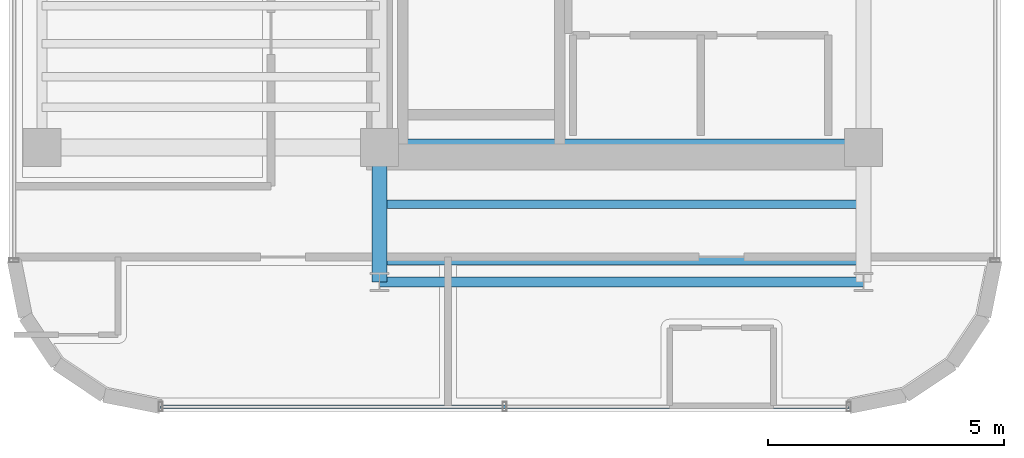
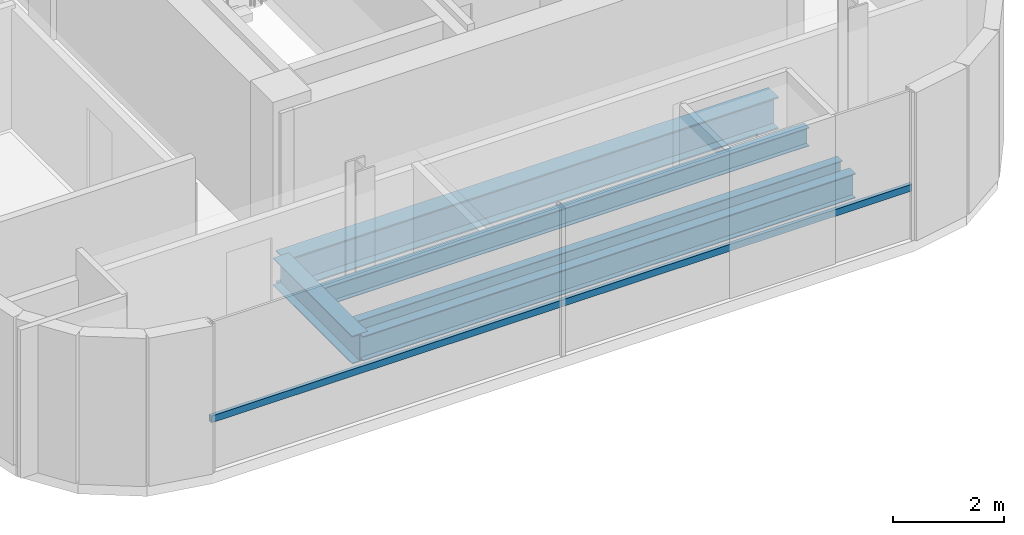
# One storey, part 3 of 21: 5 beams, 1 member, 1 element without a shape of its own.
"""IFC4 building model written with IfcOpenShell, lengths in metres."""

from ifc_helpers import new_model, si_unit, direction, frame, origin, origin_2d, place, context, subcontext, project, spatial, hollow_rectangle, i_section, extrude, source, transform, mapped, material, material_profile, profile_set, type_object, element, aggregate, save


model = new_model("IFC4")

# Units and contexts
model_context = context("Model", 3, precision=1e-05, world=origin(), true_north=direction((0.0, 1.0)))
body_context = subcontext(model_context, "Body", "Model", "MODEL_VIEW")
ifc_project = project(units=[si_unit("LENGTHUNIT", "METRE"), si_unit("AREAUNIT", "SQUARE_METRE"), si_unit("VOLUMEUNIT", "CUBIC_METRE"), si_unit("PLANEANGLEUNIT", "RADIAN"), si_unit("MASSUNIT", "GRAM", prefix="KILO")], contexts=[model_context])

# Site, building, storey
site_placement = place(None, origin())
site = spatial("IfcSite", under=ifc_project, at=site_placement, CompositionType="ELEMENT")
building_placement = place(site_placement, origin())
building = spatial("IfcBuilding", under=site, at=building_placement, Name="Valdorenza Pilgrim Sanctuary Tower", CompositionType="ELEMENT")
storey_placement = place(building_placement, frame((0.0, 0.0, 258.0)))
storey = spatial("IfcBuildingStorey", under=building, at=storey_placement, Name="L67", CompositionType="ELEMENT", Elevation=258.0)

# Beams
ifc_material_1 = material(Name="Steel ASTM A992 Grade 50", Category="steel")
ifc_material_profile_1 = material_profile(ifc_material_1, i_section(OverallWidth=0.323974609375, OverallDepth=0.611083984375, WebThickness=0.0126953125, FlangeThickness=0.01904296875, at=origin_2d()), Name="W24X104")
ifc_profile_set_1 = profile_set([ifc_material_profile_1], Name="Steel ASTM A992 Grade 50")
beam_type_1 = type_object("IfcBeamType", Name="STR-BM-GRD-W24B", PredefinedType="BEAM", material=ifc_profile_set_1)
shared_shape_1 = source(origin(), body_context, "Body", "SweptSolid", [
    extrude(i_section(OverallWidth=0.323974609375, OverallDepth=0.611083984375, WebThickness=0.0126953125, FlangeThickness=0.01904296875, at=origin_2d()), origin(), (0.0, 0.0, 1.0), 2.849853515625),
])
beam_1_placement = place(storey_placement, frame((-22.64990234375, -13.449951171875, -0.54541015625), z_axis=(0.0, 1.0, 0.0), x_axis=(-1.0, 0.0, 0.0)))
element("IfcBeam", 1, at=beam_1_placement, inside=storey, type_object=beam_type_1, Name="L67 Floor Girder WA-S-LW", PredefinedType="BEAM", context=body_context, shape_type="MappedRepresentation", body=[
    mapped(shared_shape_1, transform((0.0, 0.0, 0.0), x_axis=(1.0, 0.0, 0.0), y_axis=(0.0, 1.0, 0.0), z_axis=(0.0, 0.0, 1.0), scale=1.0)),
])
ifc_material_profile_2 = material_profile(ifc_material_1, i_section(OverallWidth=0.2109375, OverallDepth=0.5390625, WebThickness=0.01171875, FlangeThickness=0.018798828125, at=origin_2d()), Name="W21X73")
ifc_profile_set_2 = profile_set([ifc_material_profile_2], Name="Steel ASTM A992 Grade 50")
beam_type_2 = type_object("IfcBeamType", Name="STR-BM-SPN-W21B", PredefinedType="SPANDREL", material=ifc_profile_set_2)
shared_shape_2 = source(origin(), body_context, "Body", "SweptSolid", [
    extrude(i_section(OverallWidth=0.2109375, OverallDepth=0.5390625, WebThickness=0.01171875, FlangeThickness=0.018798828125, at=origin_2d()), origin(), (0.0, 0.0, 1.0), 10.25),
])
beam_2_placement = place(storey_placement, frame((-22.64990234375, -13.449951171875, -0.509521484375), z_axis=(1.0, 0.0, 0.0), x_axis=(0.0, 1.0, 0.0)))
element("IfcBeam", 2, at=beam_2_placement, inside=storey, type_object=beam_type_2, Name="L67 South Spandrel WA-S-TIE", PredefinedType="SPANDREL", context=body_context, shape_type="MappedRepresentation", body=[
    mapped(shared_shape_2, transform((0.0, 0.0, 0.0), x_axis=(1.0, 0.0, 0.0), y_axis=(0.0, 1.0, 0.0), z_axis=(0.0, 0.0, 1.0), scale=1.0)),
])
ifc_material_profile_3 = material_profile(ifc_material_1, i_section(OverallWidth=0.35595703125, OverallDepth=0.700927734375, WebThickness=0.016845703125, FlangeThickness=0.02734375, at=origin_2d()), Name="W27X161")
ifc_profile_set_3 = profile_set([ifc_material_profile_3], Name="Steel ASTM A992 Grade 50")
beam_type_3 = type_object("IfcBeamType", Name="STR-BM-GRD-W27", PredefinedType="BEAM", material=ifc_profile_set_3)
shared_shape_3 = source(origin(), body_context, "Body", "SweptSolid", [
    extrude(i_section(OverallWidth=0.35595703125, OverallDepth=0.700927734375, WebThickness=0.016845703125, FlangeThickness=0.02734375, at=origin_2d()), origin(), (0.0, 0.0, 1.0), 10.25),
])
beam_3_placement = place(storey_placement, frame((-22.64990234375, -10.60009765625, -0.590576171875), z_axis=(1.0, 0.0, 0.0), x_axis=(0.0, 1.0, 0.0)))
element("IfcBeam", 3, at=beam_3_placement, inside=storey, type_object=beam_type_3, Name="L67 Floor Girder CA-XC-S1", PredefinedType="BEAM", context=body_context, shape_type="MappedRepresentation", body=[
    mapped(shared_shape_3, transform((0.0, 0.0, 0.0), x_axis=(1.0, 0.0, 0.0), y_axis=(0.0, 1.0, 0.0), z_axis=(0.0, 0.0, 1.0), scale=1.0)),
])
ifc_material_profile_4 = material_profile(ifc_material_1, i_section(OverallWidth=0.177978515625, OverallDepth=0.406005859375, WebThickness=0.0078125, FlangeThickness=0.0126953125, at=origin_2d()), Name="W16X40")
ifc_profile_set_4 = profile_set([ifc_material_profile_4], Name="Steel ASTM A992 Grade 50")
beam_type_4 = type_object("IfcBeamType", Name="STR-BM-JST-W16", PredefinedType="JOIST", material=ifc_profile_set_4)
shared_shape_4 = source(origin(), body_context, "Body", "SweptSolid", [
    extrude(i_section(OverallWidth=0.177978515625, OverallDepth=0.406005859375, WebThickness=0.0078125, FlangeThickness=0.0126953125, at=origin_2d()), origin(), (0.0, 0.0, 1.0), 10.25),
])
for number, where, z_axis, x_axis, name in (
    (4, (-22.64990234375, -13.0, -0.443115234375), (1.0, 0.0, 0.0), (0.0, 1.0, 0.0), "L67 Composite Floor Joist JST-WAS-1"),
    (5, (-22.64990234375, -11.800048828125, -0.443115234375), (1.0, 0.0, 0.0), (0.0, 1.0, 0.0), "L67 Composite Floor Joist JST-WAS-2"),
):
    element("IfcBeam", number, at=place(storey_placement, frame(where, z_axis=z_axis, x_axis=x_axis)), inside=storey, type_object=beam_type_4, Name=name, PredefinedType="JOIST", context=body_context, shape_type="MappedRepresentation", body=[
        mapped(shared_shape_4, transform((0.0, 0.0, 0.0), x_axis=(1.0, 0.0, 0.0), y_axis=(0.0, 1.0, 0.0), z_axis=(0.0, 0.0, 1.0), scale=1.0)),
    ])

# Curtain wall, member
ifc_material_2 = material(Name="Curtain-wall IGU glazing", Category="glass")
curtain_wall_type = type_object("IfcCurtainWallType", Name="CW-SYS-02", PredefinedType="NOTDEFINED", material=ifc_material_2)
curtain_wall_placement = place(storey_placement, origin())
curtain_wall = element("IfcCurtainWall", 6, at=curtain_wall_placement, inside=storey, type_object=curtain_wall_type, Name="L67 Curtain Wall CW-L67-1-26", PredefinedType="NOTDEFINED")
ifc_material_3 = material(Name="Anodised aluminium AW-6060", Category="aluminium")
ifc_material_profile_5 = material_profile(ifc_material_3, hollow_rectangle(XDim=0.074951171875, YDim=0.14990234375, WallThickness=0.00390625, at=origin_2d()), Name="ALU-T 150x75x4")
ifc_profile_set_5 = profile_set([ifc_material_profile_5], Name="Anodised aluminium AW-6060")
member_type = type_object("IfcMemberType", Name="CW-TRN-02", PredefinedType="USERDEFINED", material=ifc_profile_set_5)
shared_shape_5 = source(origin(), body_context, "Body", "SweptSolid", [
    extrude(hollow_rectangle(XDim=0.074951171875, YDim=0.14990234375, WallThickness=0.00390625, at=origin_2d()), origin(), (0.0, 0.0, 1.0), 14.57861328125),
])
member_placement = place(storey_placement, frame((-12.710693359375, -16.090087890625, 1.1201171875), z_axis=(-1.0, 0.0, 0.0), x_axis=(0.0, -1.0, 0.0)))
member = element("IfcMember", 7, at=member_placement, type_object=member_type, Name="CW-L67-1-26 Transom 1", ObjectType="TRANSOM", PredefinedType="USERDEFINED", context=body_context, shape_type="MappedRepresentation", body=[
    mapped(shared_shape_5, transform((0.0, 0.0, 0.0), x_axis=(1.0, 0.0, 0.0), y_axis=(0.0, 1.0, 0.0), z_axis=(0.0, 0.0, 1.0), scale=1.0)),
])
aggregate(curtain_wall, [member])

save(model, "model.ifc")
